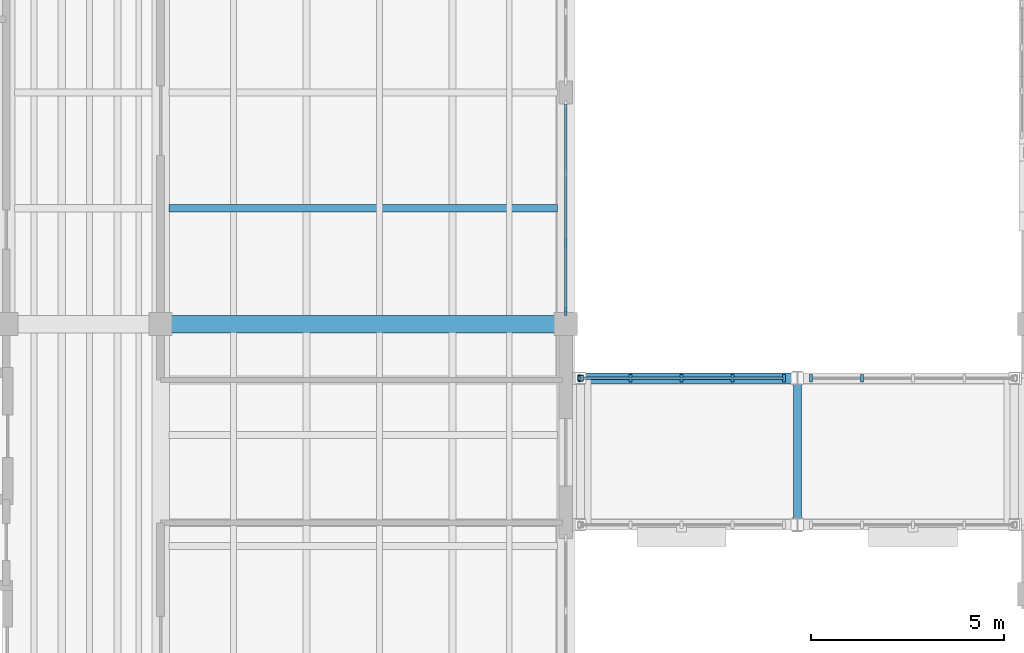
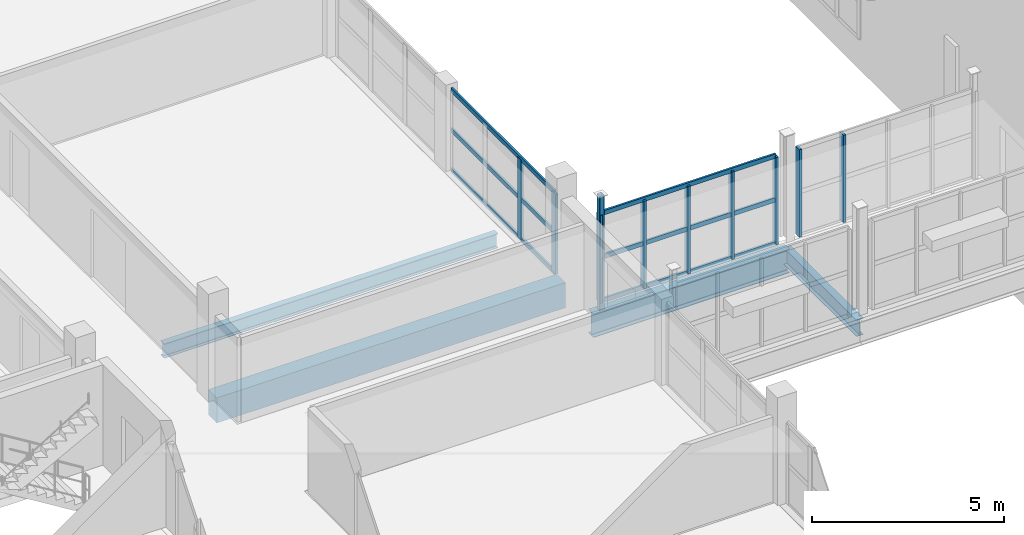
# One storey, part 13 of 77: 16 members, 4 beams, 3 elements without a shape of their own.
"""IFC4 building model written with IfcOpenShell, lengths in metres."""

from ifc_helpers import new_model, si_unit, direction, frame, origin, origin_2d, place, context, subcontext, project, spatial, rectangle, hollow_rectangle, i_section, extrude, material, layer, layer_set, material_profile, profile_set, type_object, element, aggregate, save


model = new_model("IFC4")

# Units and contexts
model_context = context("Model", 3, precision=1e-05, world=origin(), true_north=direction((0.0, 1.0)))
body_context = subcontext(model_context, "Body", "Model", "MODEL_VIEW")
ifc_project = project(units=[si_unit("LENGTHUNIT", "METRE"), si_unit("AREAUNIT", "SQUARE_METRE"), si_unit("VOLUMEUNIT", "CUBIC_METRE"), si_unit("PLANEANGLEUNIT", "RADIAN"), si_unit("MASSUNIT", "GRAM", prefix="KILO")], contexts=[model_context])

# Site, building, storey
site_placement = place(None, origin())
site = spatial("IfcSite", under=ifc_project, at=site_placement, CompositionType="ELEMENT")
building_placement = place(site_placement, origin())
building = spatial("IfcBuilding", under=site, at=building_placement, Name="Trellovar Central Fire Station", CompositionType="ELEMENT")
storey_placement = place(building_placement, frame((0.0, 0.0, 5.85009765625)))
storey = spatial("IfcBuildingStorey", under=building, at=storey_placement, Name="L02", CompositionType="ELEMENT", Elevation=5.85009765625)

# Beams
ifc_material_1 = material(Name="Concrete C40/50", Category="concrete")
ifc_material_profile_1 = material_profile(ifc_material_1, rectangle(XDim=0.449951171875, YDim=0.800048828125, at=origin_2d()), Name="RC450X800")
ifc_profile_set_1 = profile_set([ifc_material_profile_1], Name="Concrete C40/50")
beam_type_1 = type_object("IfcBeamType", Name="BM-G1", PredefinedType="BEAM", material=ifc_profile_set_1)
beam_1_placement = place(storey_placement, frame((12.5, 29.0, -0.400146484375), z_axis=(1.0, 0.0, 0.0), x_axis=(0.0, 1.0, 0.0)))
element("IfcBeam", 1, at=beam_1_placement, inside=storey, type_object=beam_type_1, Name="L02 beam G-1", PredefinedType="BEAM", context=body_context, shape_type="SweptSolid", body=[
    extrude(rectangle(XDim=0.449951171875, YDim=0.800048828125, at=origin_2d()), origin(), (0.0, 0.0, 1.0), 10.5),
])
ifc_material_2 = material(Name="Steel ASTM A992 Grade 50", Category="steel")
ifc_material_profile_2 = material_profile(ifc_material_2, i_section(OverallWidth=0.2666015625, OverallDepth=0.7578125, WebThickness=0.013916015625, FlangeThickness=0.019287109375, FilletRadius=0.01904296875, at=origin_2d()), Name="W30X108")
ifc_profile_set_2 = profile_set([ifc_material_profile_2], Name="Steel ASTM A992 Grade 50")
beam_type_2 = type_object("IfcBeamType", Name="BM-SW3", PredefinedType="BEAM", material=ifc_profile_set_2)
beam_2_placement = place(storey_placement, frame((23.090087890625, 27.60009765625, -0.618896484375), z_axis=(1.0, 0.0, 0.0), x_axis=(0.0, 1.0, 0.0)))
element("IfcBeam", 2, at=beam_2_placement, inside=storey, type_object=beam_type_2, Name="Cloister bridge L02 girder W", PredefinedType="BEAM", context=body_context, shape_type="SweptSolid", body=[
    extrude(i_section(OverallWidth=0.2666015625, OverallDepth=0.7578125, WebThickness=0.013916015625, FlangeThickness=0.019287109375, FilletRadius=0.01904296875, at=origin_2d()), origin(), (0.0, 0.0, 1.0), 5.909912109375),
])
ifc_material_3 = material(Name="Steel ASTM A992 Grade 50", Category="steel")
ifc_material_profile_3 = material_profile(ifc_material_3, i_section(OverallWidth=0.209228515625, OverallDepth=0.533447265625, WebThickness=0.01025390625, FlangeThickness=0.015625, FilletRadius=0.013916015625, at=origin_2d()), Name="W21X62")
ifc_profile_set_3 = profile_set([ifc_material_profile_3], Name="Steel ASTM A992 Grade 50")
beam_type_3 = type_object("IfcBeamType", Name="BM-SW7", PredefinedType="BEAM", material=ifc_profile_set_3)
beam_3_placement = place(storey_placement, frame((29.0, 23.800048828125, -0.5068359375), z_axis=(0.0, 1.0, 0.0), x_axis=(-1.0, 0.0, 0.0)))
element("IfcBeam", 3, at=beam_3_placement, inside=storey, type_object=beam_type_3, Name="Cloister bridge pier cross beam", PredefinedType="BEAM", context=body_context, shape_type="SweptSolid", body=[
    extrude(i_section(OverallWidth=0.209228515625, OverallDepth=0.533447265625, WebThickness=0.01025390625, FlangeThickness=0.015625, FilletRadius=0.013916015625, at=origin_2d()), origin(), (0.0, 0.0, 1.0), 3.800048828125),
])
ifc_material_4 = material(Name="Steel ASTM A992 Grade 50", Category="steel")
ifc_material_profile_4 = material_profile(ifc_material_4, i_section(OverallWidth=0.1904296875, OverallDepth=0.457275390625, WebThickness=0.009033203125, FlangeThickness=0.014404296875, FilletRadius=0.0126953125, at=origin_2d()), Name="W18X50")
ifc_profile_set_4 = profile_set([ifc_material_profile_4], Name="Steel ASTM A992 Grade 50")
beam_type_4 = type_object("IfcBeamType", Name="BM-SW9", PredefinedType="JOIST", material=ifc_profile_set_4)
beam_4_placement = place(storey_placement, frame((12.719970703125, 32.0, -0.48876953125), z_axis=(1.0, 0.0, 0.0), x_axis=(0.0, 1.0, 0.0)))
element("IfcBeam", 4, at=beam_4_placement, inside=storey, type_object=beam_type_4, Name="L02 beam SB-9", PredefinedType="JOIST", context=body_context, shape_type="SweptSolid", body=[
    extrude(i_section(OverallWidth=0.1904296875, OverallDepth=0.457275390625, WebThickness=0.009033203125, FlangeThickness=0.014404296875, FilletRadius=0.0126953125, at=origin_2d()), origin(), (0.0, 0.0, 1.0), 10.06005859375),
])

# Curtain wall, members
ifc_material_5 = material(Name="Thermally broken bronze anodized aluminum", Category="aluminium")
ifc_layer_1 = layer(ifc_material_5, 0.159912109375)
ifc_layer_set_1 = layer_set([ifc_layer_1], Name="Thermally broken bronze anodized aluminum")
curtain_wall_type_1 = type_object("IfcCurtainWallType", Name="CW-14", PredefinedType="NOTDEFINED", material=ifc_layer_set_1)
curtain_wall_1_placement = place(storey_placement, origin())
curtain_wall_1 = element("IfcCurtainWall", 5, at=curtain_wall_1_placement, inside=storey, type_object=curtain_wall_type_1, Name="Cloister skybridge north curtain wall", PredefinedType="NOTDEFINED")
ifc_material_6 = material(Name="Thermally broken bronze anodized aluminum", Category="aluminium")
ifc_material_profile_5 = material_profile(ifc_material_6, rectangle(XDim=0.074951171875, YDim=0.199951171875, at=origin_2d()), Name="ALU75X200")
ifc_profile_set_5 = profile_set([ifc_material_profile_5], Name="Thermally broken bronze anodized aluminum")
member_type_1 = type_object("IfcMemberType", Name="CWM-1", PredefinedType="MULLION", material=ifc_profile_set_5)
member_1_placement = place(storey_placement, frame((28.64990234375, 27.60009765625, 0.0), z_axis=(0.0, 0.0, 1.0), x_axis=(1.0, 0.0, 0.0)))
member_1 = element("IfcMember", 6, at=member_1_placement, type_object=member_type_1, Name="CW3-L02-0022 mullion 1", PredefinedType="MULLION", context=body_context, shape_type="SweptSolid", body=[
    extrude(rectangle(XDim=0.074951171875, YDim=0.199951171875, at=origin_2d()), origin(), (0.0, 0.0, 1.0), 2.787841796875),
])
member_2_placement = place(storey_placement, frame((27.324951171875, 27.60009765625, 0.0), z_axis=(0.0, 0.0, 1.0), x_axis=(1.0, 0.0, 0.0)))
member_2 = element("IfcMember", 7, at=member_2_placement, type_object=member_type_1, Name="CW3-L02-0022 mullion 2", PredefinedType="MULLION", context=body_context, shape_type="SweptSolid", body=[
    extrude(rectangle(XDim=0.074951171875, YDim=0.199951171875, at=origin_2d()), origin(), (0.0, 0.0, 1.0), 2.787841796875),
])
member_3_placement = place(storey_placement, frame((26.0, 27.60009765625, 0.0), z_axis=(0.0, 0.0, 1.0), x_axis=(1.0, 0.0, 0.0)))
member_3 = element("IfcMember", 8, at=member_3_placement, type_object=member_type_1, Name="CW3-L02-0022 mullion 3", PredefinedType="MULLION", context=body_context, shape_type="SweptSolid", body=[
    extrude(rectangle(XDim=0.074951171875, YDim=0.199951171875, at=origin_2d()), origin(), (0.0, 0.0, 1.0), 2.787841796875),
])
member_4_placement = place(storey_placement, frame((24.675048828125, 27.60009765625, 0.0), z_axis=(0.0, 0.0, 1.0), x_axis=(1.0, 0.0, 0.0)))
member_4 = element("IfcMember", 9, at=member_4_placement, type_object=member_type_1, Name="CW3-L02-0022 mullion 4", PredefinedType="MULLION", context=body_context, shape_type="SweptSolid", body=[
    extrude(rectangle(XDim=0.074951171875, YDim=0.199951171875, at=origin_2d()), origin(), (0.0, 0.0, 1.0), 2.787841796875),
])
member_5_placement = place(storey_placement, frame((23.35009765625, 27.60009765625, 0.0), z_axis=(0.0, 0.0, 1.0), x_axis=(1.0, 0.0, 0.0)))
member_5 = element("IfcMember", 10, at=member_5_placement, type_object=member_type_1, Name="CW3-L02-0022 mullion 5", PredefinedType="MULLION", context=body_context, shape_type="SweptSolid", body=[
    extrude(rectangle(XDim=0.074951171875, YDim=0.199951171875, at=origin_2d()), origin(), (0.0, 0.0, 1.0), 2.787841796875),
])

curtain_wall_2_placement = place(storey_placement, origin())
curtain_wall_2 = element("IfcCurtainWall", 11, at=curtain_wall_2_placement, inside=storey, type_object=curtain_wall_type_1, Name="Cloister skybridge north curtain wall", PredefinedType="NOTDEFINED")
member_6_placement = place(storey_placement, frame((30.675048828125, 27.60009765625, 0.0), z_axis=(0.0, 0.0, 1.0), x_axis=(1.0, 0.0, 0.0)))
member_6 = element("IfcMember", 12, at=member_6_placement, type_object=member_type_1, Name="CW3-L02-0024 mullion 4", PredefinedType="MULLION", context=body_context, shape_type="SweptSolid", body=[
    extrude(rectangle(XDim=0.074951171875, YDim=0.199951171875, at=origin_2d()), origin(), (0.0, 0.0, 1.0), 2.787841796875),
])
member_7_placement = place(storey_placement, frame((29.35009765625, 27.60009765625, 0.0), z_axis=(0.0, 0.0, 1.0), x_axis=(1.0, 0.0, 0.0)))
member_7 = element("IfcMember", 13, at=member_7_placement, type_object=member_type_1, Name="CW3-L02-0024 mullion 5", PredefinedType="MULLION", context=body_context, shape_type="SweptSolid", body=[
    extrude(rectangle(XDim=0.074951171875, YDim=0.199951171875, at=origin_2d()), origin(), (0.0, 0.0, 1.0), 2.787841796875),
])
aggregate(curtain_wall_2, [member_6, member_7])

ifc_material_7 = material(Name="Thermally broken bronze anodized aluminum", Category="aluminium")
ifc_layer_2 = layer(ifc_material_7, 0.159912109375)
ifc_layer_set_2 = layer_set([ifc_layer_2], Name="Thermally broken bronze anodized aluminum")
curtain_wall_type_2 = type_object("IfcCurtainWallType", Name="CW-02", PredefinedType="NOTDEFINED", material=ifc_layer_set_2)
curtain_wall_3_placement = place(storey_placement, origin())
curtain_wall_3 = element("IfcCurtainWall", 14, at=curtain_wall_3_placement, inside=storey, type_object=curtain_wall_type_2, Name="L02 curtain wall CW-2", PredefinedType="NOTDEFINED")
member_8_placement = place(storey_placement, frame((23.0, 29.324951171875, 0.0), z_axis=(0.0, 0.0, 1.0), x_axis=(1.0, 0.0, 0.0)))
member_8 = element("IfcMember", 15, at=member_8_placement, type_object=member_type_1, Name="CW3-L02-0039 mullion 1", PredefinedType="MULLION", context=body_context, shape_type="SweptSolid", body=[
    extrude(rectangle(XDim=0.074951171875, YDim=0.199951171875, at=origin_2d()), origin(), (0.0, 0.0, 1.0), 2.5498046875),
])
member_9_placement = place(storey_placement, frame((23.0, 31.11669921875, 0.0), z_axis=(0.0, 0.0, 1.0), x_axis=(1.0, 0.0, 0.0)))
member_9 = element("IfcMember", 16, at=member_9_placement, type_object=member_type_1, Name="CW3-L02-0039 mullion 2", PredefinedType="MULLION", context=body_context, shape_type="SweptSolid", body=[
    extrude(rectangle(XDim=0.074951171875, YDim=0.199951171875, at=origin_2d()), origin(), (0.0, 0.0, 1.0), 2.5498046875),
])

# Member
ifc_material_8 = material(Name="Thermally broken bronze anodized aluminum", Category="aluminium")
ifc_material_profile_6 = material_profile(ifc_material_8, rectangle(XDim=0.06005859375, YDim=0.139892578125, at=origin_2d()), Name="ALU60X140")
ifc_profile_set_6 = profile_set([ifc_material_profile_6], Name="Thermally broken bronze anodized aluminum")
member_type_2 = type_object("IfcMemberType", Name="CWT-1", PredefinedType="USERDEFINED", material=ifc_profile_set_6)
member_10_placement = place(storey_placement, frame((28.64990234375, 27.60009765625, 0.0), z_axis=(-1.0, 0.0, 0.0), x_axis=(0.0, -1.0, 0.0)))
member_10 = element("IfcMember", 17, at=member_10_placement, type_object=member_type_2, Name="CW3-L02-0022 transom 1", ObjectType="TRANSOM", PredefinedType="USERDEFINED", context=body_context, shape_type="SweptSolid", body=[
    extrude(rectangle(XDim=0.06005859375, YDim=0.139892578125, at=origin_2d()), origin(), (0.0, 0.0, 1.0), 5.2998046875),
])

member_11_placement = place(storey_placement, frame((28.64990234375, 27.60009765625, 1.393798828125), z_axis=(-1.0, 0.0, 0.0), x_axis=(0.0, -1.0, 0.0)))
member_11 = element("IfcMember", 18, at=member_11_placement, type_object=member_type_2, Name="CW3-L02-0022 transom 2", ObjectType="TRANSOM", PredefinedType="USERDEFINED", context=body_context, shape_type="SweptSolid", body=[
    extrude(rectangle(XDim=0.06005859375, YDim=0.139892578125, at=origin_2d()), origin(), (0.0, 0.0, 1.0), 5.2998046875),
])

member_12_placement = place(storey_placement, frame((28.64990234375, 27.60009765625, 2.787841796875), z_axis=(-1.0, 0.0, 0.0), x_axis=(0.0, -1.0, 0.0)))
member_12 = element("IfcMember", 19, at=member_12_placement, type_object=member_type_2, Name="CW3-L02-0022 transom 3", ObjectType="TRANSOM", PredefinedType="USERDEFINED", context=body_context, shape_type="SweptSolid", body=[
    extrude(rectangle(XDim=0.06005859375, YDim=0.139892578125, at=origin_2d()), origin(), (0.0, 0.0, 1.0), 5.2998046875),
])

aggregate(curtain_wall_1, [member_1, member_2, member_3, member_4, member_5, member_10, member_11, member_12])

member_13_placement = place(storey_placement, frame((23.0, 29.324951171875, 0.0), z_axis=(0.0, 1.0, 0.0), x_axis=(-1.0, 0.0, 0.0)))
member_13 = element("IfcMember", 20, at=member_13_placement, type_object=member_type_2, Name="CW3-L02-0039 transom 1", ObjectType="TRANSOM", PredefinedType="USERDEFINED", context=body_context, shape_type="SweptSolid", body=[
    extrude(rectangle(XDim=0.06005859375, YDim=0.139892578125, at=origin_2d()), origin(), (0.0, 0.0, 1.0), 5.375),
])

member_14_placement = place(storey_placement, frame((23.0, 29.324951171875, 1.27490234375), z_axis=(0.0, 1.0, 0.0), x_axis=(-1.0, 0.0, 0.0)))
member_14 = element("IfcMember", 21, at=member_14_placement, type_object=member_type_2, Name="CW3-L02-0039 transom 2", ObjectType="TRANSOM", PredefinedType="USERDEFINED", context=body_context, shape_type="SweptSolid", body=[
    extrude(rectangle(XDim=0.06005859375, YDim=0.139892578125, at=origin_2d()), origin(), (0.0, 0.0, 1.0), 5.375),
])

member_15_placement = place(storey_placement, frame((23.0, 29.324951171875, 2.5498046875), z_axis=(0.0, 1.0, 0.0), x_axis=(-1.0, 0.0, 0.0)))
member_15 = element("IfcMember", 22, at=member_15_placement, type_object=member_type_2, Name="CW3-L02-0039 transom 3", ObjectType="TRANSOM", PredefinedType="USERDEFINED", context=body_context, shape_type="SweptSolid", body=[
    extrude(rectangle(XDim=0.06005859375, YDim=0.139892578125, at=origin_2d()), origin(), (0.0, 0.0, 1.0), 5.375),
])

aggregate(curtain_wall_3, [member_8, member_9, member_13, member_14, member_15])

ifc_material_9 = material(Name="Steel ASTM A500 Grade C", Category="steel")
ifc_material_profile_7 = material_profile(ifc_material_9, hollow_rectangle(XDim=0.15234375, YDim=0.15234375, WallThickness=0.0087890625, InnerFilletRadius=0.0087890625, OuterFilletRadius=0.017822265625, at=origin_2d()), Name="HSS6X6X3/8")
ifc_profile_set_7 = profile_set([ifc_material_profile_7], Name="Steel ASTM A500 Grade C")
member_type_3 = type_object("IfcMemberType", Name="MEM-ST1", PredefinedType="STRUT", material=ifc_profile_set_7)
member_16_placement = place(storey_placement, frame((23.3798828125, 27.60009765625, -0.239990234375), z_axis=(0.0, 0.0, 1.0), x_axis=(1.0, 0.0, 0.0)))
element("IfcMember", 23, at=member_16_placement, inside=storey, type_object=member_type_3, Name="Cloister bridge seated portal post", PredefinedType="STRUT", context=body_context, shape_type="SweptSolid", body=[
    extrude(hollow_rectangle(XDim=0.15234375, YDim=0.15234375, WallThickness=0.0087890625, InnerFilletRadius=0.0087890625, OuterFilletRadius=0.017822265625, at=origin_2d()), origin(), (0.0, 0.0, 1.0), 3.639892578125),
])

save(model, "model.ifc")
